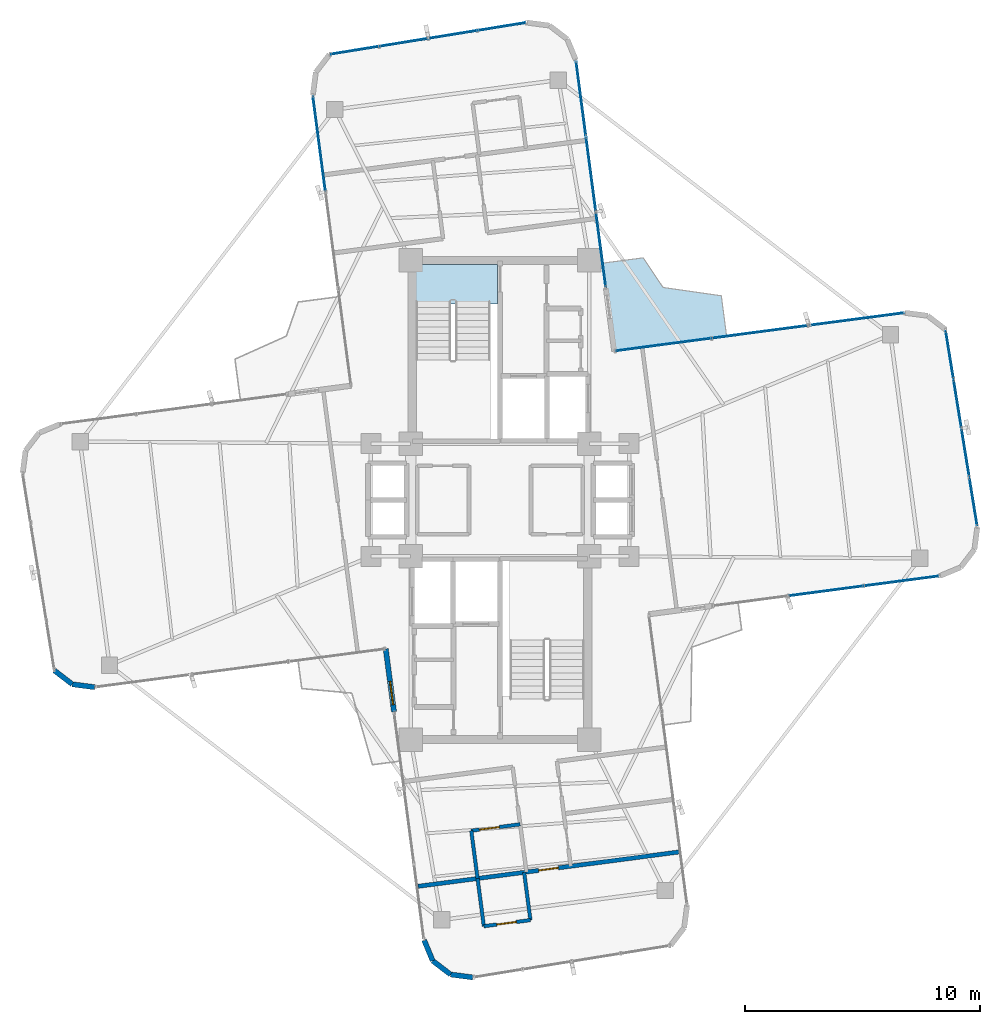
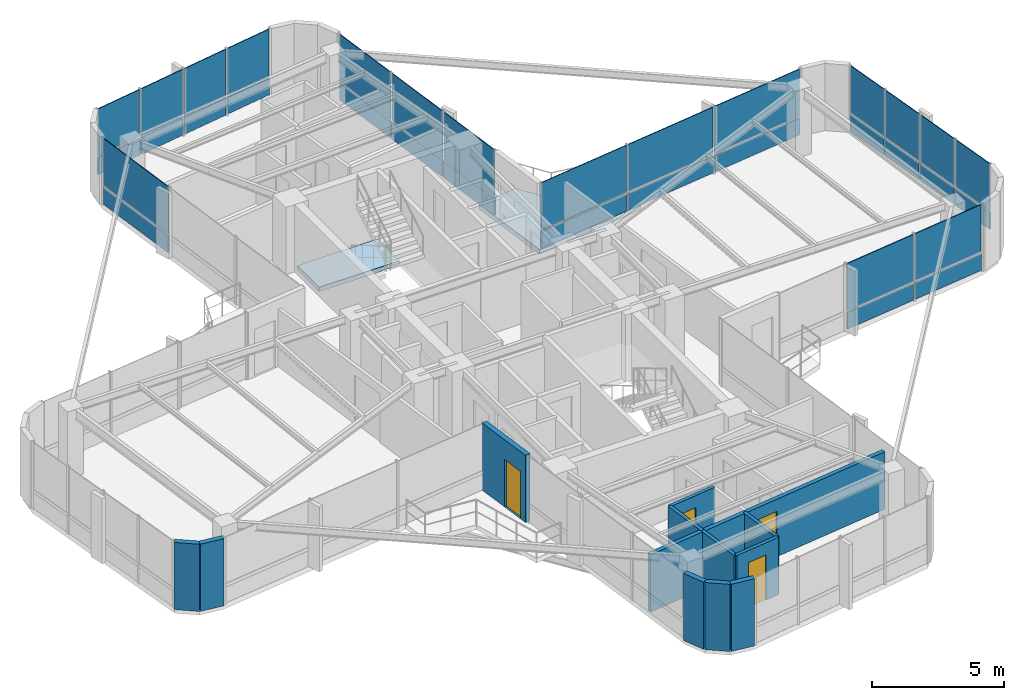
# One storey, part 17 of 21: 34 plates, 12 walls, 4 doors, 2 slabs, 4 openings, 6 elements without a shape of their own.
"""IFC4 building model written with IfcOpenShell, lengths in metres."""

from ifc_helpers import new_model, si_unit, direction, frame, frame_2d, origin, origin_2d, place, context, subcontext, project, spatial, polyline, rectangle, outline, extrude, source, transform, mapped, material, layer, layer_set, type_object, element, fill, aggregate, save


model = new_model("IFC4")

# Units and contexts
model_context = context("Model", 3, precision=1e-05, world=origin(), true_north=direction((0.0, 1.0)))
body_context = subcontext(model_context, "Body", "Model", "MODEL_VIEW")
ifc_project = project(units=[si_unit("LENGTHUNIT", "METRE"), si_unit("AREAUNIT", "SQUARE_METRE"), si_unit("VOLUMEUNIT", "CUBIC_METRE"), si_unit("PLANEANGLEUNIT", "RADIAN"), si_unit("MASSUNIT", "GRAM", prefix="KILO")], contexts=[model_context])

# Site, building, storey
site_placement = place(None, origin())
site = spatial("IfcSite", under=ifc_project, at=site_placement, CompositionType="ELEMENT")
building_placement = place(site_placement, origin())
building = spatial("IfcBuilding", under=site, at=building_placement, Name="Sahyath Konkavel Grand Hotel", CompositionType="ELEMENT")
storey_placement = place(building_placement, frame((0.0, 0.0, 213.199951171875)))
storey = spatial("IfcBuildingStorey", under=building, at=storey_placement, Name="L59", CompositionType="ELEMENT", Elevation=213.199951171875)

# Slabs
ifc_material_1 = material(Name="Concrete C40/50", Category="concrete")
ifc_layer_1 = layer(ifc_material_1, 0.219970703125)
ifc_layer_set_1 = layer_set([ifc_layer_1], Name="Concrete C40/50")
slab_type_1 = type_object("IfcSlabType", Name="SLB-BALCONY-220", PredefinedType="FLOOR", material=ifc_layer_set_1)
slab_1_placement = place(storey_placement, frame((0.0, 0.0, -0.219970703125)))
element("IfcSlab", 1, at=slab_1_placement, inside=storey, type_object=slab_type_1, Name="L59 Winter-Garden Balcony NE", PredefinedType="FLOOR", context=body_context, shape_type="SweptSolid", body=[
    extrude(outline(polyline([(4.8642578125, 6.339111328125), (9.64794921875, 6.968994140625), (9.4208984375, 8.692138671875), (6.9423828125, 9.047607421875), (6.0947265625, 10.30859375), (4.37158203125, 10.081787109375), (4.8642578125, 6.339111328125)])), origin(), (0.0, 0.0, 1.0), 0.219970703125),
])
ifc_layer_2 = layer(ifc_material_1, 0.199951171875)
ifc_layer_set_2 = layer_set([ifc_layer_2], Name="Concrete C40/50")
slab_type_2 = type_object("IfcSlabType", Name="SLB-STAIR-LND", PredefinedType="LANDING", material=ifc_layer_set_2)
slab_2_placement = place(storey_placement, frame((0.0, 0.0, -0.199951171875)))
element("IfcSlab", 2, at=slab_2_placement, inside=storey, type_object=slab_type_2, Name="L59 Stair ST-1 Floor Landing Slab", PredefinedType="LANDING", context=body_context, shape_type="SweptSolid", body=[
    extrude(outline(polyline([(-3.6201171875, 8.35009765625), (-0.10009765625, 8.35009765625), (-0.10009765625, 10.02001953125), (-3.6201171875, 10.02001953125), (-3.6201171875, 8.35009765625)])), origin(), (0.0, 0.0, 1.0), 0.199951171875),
])

# Curtain wall, plates
ifc_material_2 = material(Name="Anodised Bronze Aluminium & Low-E Glazing", Category="aluminium")
curtain_wall_type = type_object("IfcCurtainWallType", Name="CW-ZONE4", PredefinedType="NOTDEFINED", material=ifc_material_2)
curtain_wall_1_placement = place(storey_placement, origin())
curtain_wall_1 = element("IfcCurtainWall", 3, at=curtain_wall_1_placement, inside=storey, type_object=curtain_wall_type, Name="L59 Unitised Curtain Wall F0", PredefinedType="NOTDEFINED")
ifc_material_3 = material(Name="Warm Buff Sandstone Cladding", Category="masonry")
ifc_layer_3 = layer(ifc_material_3, 0.074951171875)
ifc_layer_set_3 = layer_set([ifc_layer_3], Name="Warm Buff Sandstone Cladding")
plate_type_1 = type_object("IfcPlateType", Name="PNL-SPANDREL-STONE", PredefinedType="SHEET", material=ifc_layer_set_3)
shared_shape_1 = source(origin(), body_context, "Body", "SweptSolid", [
    extrude(rectangle(XDim=3.159912109375, YDim=0.074951171875, at=origin_2d()), origin(), (0.0, 0.0, 1.0), 0.77001953125),
])
plate_1_placement = place(storey_placement, frame((13.8740234375, -3.872314453125, 0.0400390625), z_axis=(0.0, 0.0, 1.0), x_axis=(0.991444861374, 0.13052619222, 0.0)))
plate_1 = element("IfcPlate", 4, at=plate_1_placement, type_object=plate_type_1, Name="L59 Sandstone Relief Spandrel Panel F0-1", PredefinedType="SHEET", context=body_context, shape_type="MappedRepresentation", body=[
    mapped(shared_shape_1, transform((0.0, 0.0, 0.0), scale=1.0)),
])
plate_2_placement = place(storey_placement, frame((17.086181640625, -3.44921875, 0.0400390625), z_axis=(0.0, 0.0, 1.0), x_axis=(0.991444861374, 0.13052619222, 0.0)))
plate_2 = element("IfcPlate", 5, at=plate_2_placement, type_object=plate_type_1, Name="L59 Sandstone Relief Spandrel Panel F0-2", PredefinedType="SHEET", context=body_context, shape_type="MappedRepresentation", body=[
    mapped(shared_shape_1, transform((0.0, 0.0, 0.0), scale=1.0)),
])

curtain_wall_2_placement = place(storey_placement, origin())
curtain_wall_2 = element("IfcCurtainWall", 6, at=curtain_wall_2_placement, inside=storey, type_object=curtain_wall_type, Name="L59 Unitised Curtain Wall F8", PredefinedType="NOTDEFINED")
plate_3_placement = place(storey_placement, frame((4.295166015625, 10.661865234375, 0.0400390625), z_axis=(0.0, 0.0, 1.0), x_axis=(-0.13052619222, 0.991444861374, 0.0)))
plate_3 = element("IfcPlate", 7, at=plate_3_placement, type_object=plate_type_1, Name="L59 Sandstone Relief Spandrel Panel F8-0", PredefinedType="SHEET", context=body_context, shape_type="MappedRepresentation", body=[
    mapped(shared_shape_1, transform((0.0, 0.0, 0.0), scale=1.0)),
])
plate_4_placement = place(storey_placement, frame((3.872314453125, 13.8740234375, 0.0400390625), z_axis=(0.0, 0.0, 1.0), x_axis=(-0.13052619222, 0.991444861374, 0.0)))
plate_4 = element("IfcPlate", 8, at=plate_4_placement, type_object=plate_type_1, Name="L59 Sandstone Relief Spandrel Panel F8-1", PredefinedType="SHEET", context=body_context, shape_type="MappedRepresentation", body=[
    mapped(shared_shape_1, transform((0.0, 0.0, 0.0), scale=1.0)),
])
plate_5_placement = place(storey_placement, frame((3.44921875, 17.086181640625, 0.0400390625), z_axis=(0.0, 0.0, 1.0), x_axis=(-0.13052619222, 0.991444861374, 0.0)))
plate_5 = element("IfcPlate", 9, at=plate_5_placement, type_object=plate_type_1, Name="L59 Sandstone Relief Spandrel Panel F8-2", PredefinedType="SHEET", context=body_context, shape_type="MappedRepresentation", body=[
    mapped(shared_shape_1, transform((0.0, 0.0, 0.0), scale=1.0)),
])

# Plate
ifc_material_4 = material(Name="Low-E Solar Control Double Glazing", Category="glass")
ifc_layer_4 = layer(ifc_material_4, 0.035888671875)
ifc_layer_set_4 = layer_set([ifc_layer_4], Name="Low-E Solar Control Double Glazing")
plate_type_2 = type_object("IfcPlateType", Name="PNL-VISION-LOWE", PredefinedType="CURTAIN_PANEL", material=ifc_layer_set_4)
shared_shape_2 = source(origin(), body_context, "Body", "SweptSolid", [
    extrude(rectangle(XDim=3.159912109375, YDim=0.035888671875, at=origin_2d()), origin(), (0.0, 0.0, 1.0), 2.179931640625),
])
plate_6_placement = place(storey_placement, frame((13.8740234375, -3.872314453125, 0.89013671875), z_axis=(0.0, 0.0, 1.0), x_axis=(0.991444861374, 0.13052619222, 0.0)))
plate_6 = element("IfcPlate", 10, at=plate_6_placement, type_object=plate_type_2, Name="L59 Low-E Vision Glazing Panel F0-1", PredefinedType="CURTAIN_PANEL", context=body_context, shape_type="MappedRepresentation", body=[
    mapped(shared_shape_2, transform((0.0, 0.0, 0.0), scale=1.0)),
])

plate_7_placement = place(storey_placement, frame((17.086181640625, -3.44921875, 0.89013671875), z_axis=(0.0, 0.0, 1.0), x_axis=(0.991444861374, 0.13052619222, 0.0)))
plate_7 = element("IfcPlate", 11, at=plate_7_placement, type_object=plate_type_2, Name="L59 Low-E Vision Glazing Panel F0-2", PredefinedType="CURTAIN_PANEL", context=body_context, shape_type="MappedRepresentation", body=[
    mapped(shared_shape_2, transform((0.0, 0.0, 0.0), scale=1.0)),
])

aggregate(curtain_wall_1, [plate_1, plate_6, plate_2, plate_7])

plate_8_placement = place(storey_placement, frame((4.295166015625, 10.661865234375, 0.89013671875), z_axis=(0.0, 0.0, 1.0), x_axis=(-0.13052619222, 0.991444861374, 0.0)))
plate_8 = element("IfcPlate", 12, at=plate_8_placement, type_object=plate_type_2, Name="L59 Low-E Vision Glazing Panel F8-0", PredefinedType="CURTAIN_PANEL", context=body_context, shape_type="MappedRepresentation", body=[
    mapped(shared_shape_2, transform((0.0, 0.0, 0.0), scale=1.0)),
])

plate_9_placement = place(storey_placement, frame((3.872314453125, 13.8740234375, 0.89013671875), z_axis=(0.0, 0.0, 1.0), x_axis=(-0.13052619222, 0.991444861374, 0.0)))
plate_9 = element("IfcPlate", 13, at=plate_9_placement, type_object=plate_type_2, Name="L59 Low-E Vision Glazing Panel F8-1", PredefinedType="CURTAIN_PANEL", context=body_context, shape_type="MappedRepresentation", body=[
    mapped(shared_shape_2, transform((0.0, 0.0, 0.0), scale=1.0)),
])

plate_10_placement = place(storey_placement, frame((3.44921875, 17.086181640625, 0.89013671875), z_axis=(0.0, 0.0, 1.0), x_axis=(-0.13052619222, 0.991444861374, 0.0)))
plate_10 = element("IfcPlate", 14, at=plate_10_placement, type_object=plate_type_2, Name="L59 Low-E Vision Glazing Panel F8-2", PredefinedType="CURTAIN_PANEL", context=body_context, shape_type="MappedRepresentation", body=[
    mapped(shared_shape_2, transform((0.0, 0.0, 0.0), scale=1.0)),
])

aggregate(curtain_wall_2, [plate_3, plate_8, plate_4, plate_9, plate_5, plate_10])

# Curtain wall, plates
curtain_wall_3_placement = place(storey_placement, origin())
curtain_wall_3 = element("IfcCurtainWall", 15, at=curtain_wall_3_placement, inside=storey, type_object=curtain_wall_type, Name="L59 Unitised Curtain Wall F4", PredefinedType="NOTDEFINED")
shared_shape_3 = source(origin(), body_context, "Body", "SweptSolid", [
    extrude(rectangle(XDim=2.031982421875, YDim=0.074951171875, at=origin_2d()), origin(), (0.0, 0.0, 1.0), 0.77001953125),
])
plate_11_placement = place(storey_placement, frame((20.150390625, -0.074951171875, 0.0400390625), z_axis=(0.0, 0.0, 1.0), x_axis=(-0.159295381124, 0.98723096667, 0.0)))
plate_11 = element("IfcPlate", 16, at=plate_11_placement, type_object=plate_type_1, Name="L59 Sandstone Relief Spandrel Panel F4-0", PredefinedType="SHEET", context=body_context, shape_type="MappedRepresentation", body=[
    mapped(shared_shape_3, transform((0.0, 0.0, 0.0), scale=1.0)),
])
plate_12_placement = place(storey_placement, frame((19.81396484375, 2.01025390625, 0.0400390625), z_axis=(0.0, 0.0, 1.0), x_axis=(-0.159295381124, 0.98723096667, 0.0)))
plate_12 = element("IfcPlate", 17, at=plate_12_placement, type_object=plate_type_1, Name="L59 Sandstone Relief Spandrel Panel F4-1", PredefinedType="SHEET", context=body_context, shape_type="MappedRepresentation", body=[
    mapped(shared_shape_3, transform((0.0, 0.0, 0.0), scale=1.0)),
])
plate_13_placement = place(storey_placement, frame((19.477294921875, 4.095458984375, 0.0400390625), z_axis=(0.0, 0.0, 1.0), x_axis=(-0.159295381124, 0.98723096667, 0.0)))
plate_13 = element("IfcPlate", 18, at=plate_13_placement, type_object=plate_type_1, Name="L59 Sandstone Relief Spandrel Panel F4-2", PredefinedType="SHEET", context=body_context, shape_type="MappedRepresentation", body=[
    mapped(shared_shape_3, transform((0.0, 0.0, 0.0), scale=1.0)),
])
plate_14_placement = place(storey_placement, frame((19.14111328125, 6.1806640625, 0.0400390625), z_axis=(0.0, 0.0, 1.0), x_axis=(-0.159295381124, 0.98723096667, 0.0)))
plate_14 = element("IfcPlate", 19, at=plate_14_placement, type_object=plate_type_1, Name="L59 Sandstone Relief Spandrel Panel F4-3", PredefinedType="SHEET", context=body_context, shape_type="MappedRepresentation", body=[
    mapped(shared_shape_3, transform((0.0, 0.0, 0.0), scale=1.0)),
])

curtain_wall_4_placement = place(storey_placement, origin())
curtain_wall_4 = element("IfcCurtainWall", 20, at=curtain_wall_4_placement, inside=storey, type_object=curtain_wall_type, Name="L59 Unitised Curtain Wall F12", PredefinedType="NOTDEFINED")
plate_15_placement = place(storey_placement, frame((0.074951171875, 20.150390625, 0.0400390625), z_axis=(0.0, 0.0, 1.0), x_axis=(-0.98723096667, -0.159295381124, 0.0)))
plate_15 = element("IfcPlate", 21, at=plate_15_placement, type_object=plate_type_1, Name="L59 Sandstone Relief Spandrel Panel F12-0", PredefinedType="SHEET", context=body_context, shape_type="MappedRepresentation", body=[
    mapped(shared_shape_3, transform((0.0, 0.0, 0.0), scale=1.0)),
])
plate_16_placement = place(storey_placement, frame((-2.01025390625, 19.81396484375, 0.0400390625), z_axis=(0.0, 0.0, 1.0), x_axis=(-0.98723096667, -0.159295381124, 0.0)))
plate_16 = element("IfcPlate", 22, at=plate_16_placement, type_object=plate_type_1, Name="L59 Sandstone Relief Spandrel Panel F12-1", PredefinedType="SHEET", context=body_context, shape_type="MappedRepresentation", body=[
    mapped(shared_shape_3, transform((0.0, 0.0, 0.0), scale=1.0)),
])
plate_17_placement = place(storey_placement, frame((-4.095458984375, 19.477294921875, 0.0400390625), z_axis=(0.0, 0.0, 1.0), x_axis=(-0.98723096667, -0.159295381124, 0.0)))
plate_17 = element("IfcPlate", 23, at=plate_17_placement, type_object=plate_type_1, Name="L59 Sandstone Relief Spandrel Panel F12-2", PredefinedType="SHEET", context=body_context, shape_type="MappedRepresentation", body=[
    mapped(shared_shape_3, transform((0.0, 0.0, 0.0), scale=1.0)),
])
plate_18_placement = place(storey_placement, frame((-6.1806640625, 19.14111328125, 0.0400390625), z_axis=(0.0, 0.0, 1.0), x_axis=(-0.98723096667, -0.159295381124, 0.0)))
plate_18 = element("IfcPlate", 24, at=plate_18_placement, type_object=plate_type_1, Name="L59 Sandstone Relief Spandrel Panel F12-3", PredefinedType="SHEET", context=body_context, shape_type="MappedRepresentation", body=[
    mapped(shared_shape_3, transform((0.0, 0.0, 0.0), scale=1.0)),
])

# Plate
shared_shape_4 = source(origin(), body_context, "Body", "SweptSolid", [
    extrude(rectangle(XDim=2.031982421875, YDim=0.035888671875, at=origin_2d()), origin(), (0.0, 0.0, 1.0), 2.179931640625),
])
plate_19_placement = place(storey_placement, frame((20.150390625, -0.074951171875, 0.89013671875), z_axis=(0.0, 0.0, 1.0), x_axis=(-0.159295381124, 0.98723096667, 0.0)))
plate_19 = element("IfcPlate", 25, at=plate_19_placement, type_object=plate_type_2, Name="L59 Low-E Vision Glazing Panel F4-0", PredefinedType="CURTAIN_PANEL", context=body_context, shape_type="MappedRepresentation", body=[
    mapped(shared_shape_4, transform((0.0, 0.0, 0.0), scale=1.0)),
])

plate_20_placement = place(storey_placement, frame((19.81396484375, 2.01025390625, 0.89013671875), z_axis=(0.0, 0.0, 1.0), x_axis=(-0.159295381124, 0.98723096667, 0.0)))
plate_20 = element("IfcPlate", 26, at=plate_20_placement, type_object=plate_type_2, Name="L59 Low-E Vision Glazing Panel F4-1", PredefinedType="CURTAIN_PANEL", context=body_context, shape_type="MappedRepresentation", body=[
    mapped(shared_shape_4, transform((0.0, 0.0, 0.0), scale=1.0)),
])

plate_21_placement = place(storey_placement, frame((19.477294921875, 4.095458984375, 0.89013671875), z_axis=(0.0, 0.0, 1.0), x_axis=(-0.159295381124, 0.98723096667, 0.0)))
plate_21 = element("IfcPlate", 27, at=plate_21_placement, type_object=plate_type_2, Name="L59 Low-E Vision Glazing Panel F4-2", PredefinedType="CURTAIN_PANEL", context=body_context, shape_type="MappedRepresentation", body=[
    mapped(shared_shape_4, transform((0.0, 0.0, 0.0), scale=1.0)),
])

plate_22_placement = place(storey_placement, frame((19.14111328125, 6.1806640625, 0.89013671875), z_axis=(0.0, 0.0, 1.0), x_axis=(-0.159295381124, 0.98723096667, 0.0)))
plate_22 = element("IfcPlate", 28, at=plate_22_placement, type_object=plate_type_2, Name="L59 Low-E Vision Glazing Panel F4-3", PredefinedType="CURTAIN_PANEL", context=body_context, shape_type="MappedRepresentation", body=[
    mapped(shared_shape_4, transform((0.0, 0.0, 0.0), scale=1.0)),
])

aggregate(curtain_wall_3, [plate_11, plate_19, plate_12, plate_20, plate_13, plate_21, plate_14, plate_22])

plate_23_placement = place(storey_placement, frame((0.074951171875, 20.150390625, 0.89013671875), z_axis=(0.0, 0.0, 1.0), x_axis=(-0.98723096667, -0.159295381124, 0.0)))
plate_23 = element("IfcPlate", 29, at=plate_23_placement, type_object=plate_type_2, Name="L59 Low-E Vision Glazing Panel F12-0", PredefinedType="CURTAIN_PANEL", context=body_context, shape_type="MappedRepresentation", body=[
    mapped(shared_shape_4, transform((0.0, 0.0, 0.0), scale=1.0)),
])

plate_24_placement = place(storey_placement, frame((-2.01025390625, 19.81396484375, 0.89013671875), z_axis=(0.0, 0.0, 1.0), x_axis=(-0.98723096667, -0.159295381124, 0.0)))
plate_24 = element("IfcPlate", 30, at=plate_24_placement, type_object=plate_type_2, Name="L59 Low-E Vision Glazing Panel F12-1", PredefinedType="CURTAIN_PANEL", context=body_context, shape_type="MappedRepresentation", body=[
    mapped(shared_shape_4, transform((0.0, 0.0, 0.0), scale=1.0)),
])

plate_25_placement = place(storey_placement, frame((-4.095458984375, 19.477294921875, 0.89013671875), z_axis=(0.0, 0.0, 1.0), x_axis=(-0.98723096667, -0.159295381124, 0.0)))
plate_25 = element("IfcPlate", 31, at=plate_25_placement, type_object=plate_type_2, Name="L59 Low-E Vision Glazing Panel F12-2", PredefinedType="CURTAIN_PANEL", context=body_context, shape_type="MappedRepresentation", body=[
    mapped(shared_shape_4, transform((0.0, 0.0, 0.0), scale=1.0)),
])

plate_26_placement = place(storey_placement, frame((-6.1806640625, 19.14111328125, 0.89013671875), z_axis=(0.0, 0.0, 1.0), x_axis=(-0.98723096667, -0.159295381124, 0.0)))
plate_26 = element("IfcPlate", 32, at=plate_26_placement, type_object=plate_type_2, Name="L59 Low-E Vision Glazing Panel F12-3", PredefinedType="CURTAIN_PANEL", context=body_context, shape_type="MappedRepresentation", body=[
    mapped(shared_shape_4, transform((0.0, 0.0, 0.0), scale=1.0)),
])

aggregate(curtain_wall_4, [plate_15, plate_23, plate_16, plate_24, plate_17, plate_25, plate_18, plate_26])

# Curtain wall, plates
curtain_wall_5_placement = place(storey_placement, origin())
curtain_wall_5 = element("IfcCurtainWall", 33, at=curtain_wall_5_placement, inside=storey, type_object=curtain_wall_type, Name="L59 Unitised Curtain Wall F7", PredefinedType="NOTDEFINED")
shared_shape_5 = source(origin(), body_context, "Body", "SweptSolid", [
    extrude(rectangle(XDim=4.06005859375, YDim=0.074951171875, at=origin_2d()), origin(), (0.0, 0.0, 1.0), 0.77001953125),
])
plate_27_placement = place(storey_placement, frame((15.165283203125, 7.6953125, 0.0400390625), z_axis=(0.0, 0.0, 1.0), x_axis=(-0.991444861374, -0.13052619222, 0.0)))
plate_27 = element("IfcPlate", 34, at=plate_27_placement, type_object=plate_type_1, Name="L59 Sandstone Relief Spandrel Panel F7-0", PredefinedType="SHEET", context=body_context, shape_type="MappedRepresentation", body=[
    mapped(shared_shape_5, transform((0.0, 0.0, 0.0), scale=1.0)),
])
plate_28_placement = place(storey_placement, frame((11.060791015625, 7.15478515625, 0.0400390625), z_axis=(0.0, 0.0, 1.0), x_axis=(-0.991444861374, -0.13052619222, 0.0)))
plate_28 = element("IfcPlate", 35, at=plate_28_placement, type_object=plate_type_1, Name="L59 Sandstone Relief Spandrel Panel F7-1", PredefinedType="SHEET", context=body_context, shape_type="MappedRepresentation", body=[
    mapped(shared_shape_5, transform((0.0, 0.0, 0.0), scale=1.0)),
])
plate_29_placement = place(storey_placement, frame((6.956298828125, 6.614501953125, 0.0400390625), z_axis=(0.0, 0.0, 1.0), x_axis=(-0.991444861374, -0.13052619222, 0.0)))
plate_29 = element("IfcPlate", 36, at=plate_29_placement, type_object=plate_type_1, Name="L59 Sandstone Relief Spandrel Panel F7-2", PredefinedType="SHEET", context=body_context, shape_type="MappedRepresentation", body=[
    mapped(shared_shape_5, transform((0.0, 0.0, 0.0), scale=1.0)),
])

# Curtain wall, plate
curtain_wall_6_placement = place(storey_placement, origin())
curtain_wall_6 = element("IfcCurtainWall", 37, at=curtain_wall_6_placement, inside=storey, type_object=curtain_wall_type, Name="L59 Unitised Curtain Wall F15", PredefinedType="NOTDEFINED")
plate_30_placement = place(storey_placement, frame((-7.6953125, 15.165283203125, 0.0400390625), z_axis=(0.0, 0.0, 1.0), x_axis=(0.13052619222, -0.991444861374, 0.0)))
plate_30 = element("IfcPlate", 38, at=plate_30_placement, type_object=plate_type_1, Name="L59 Sandstone Relief Spandrel Panel F15-0", PredefinedType="SHEET", context=body_context, shape_type="MappedRepresentation", body=[
    mapped(shared_shape_5, transform((0.0, 0.0, 0.0), scale=1.0)),
])

# Plate
shared_shape_6 = source(origin(), body_context, "Body", "SweptSolid", [
    extrude(rectangle(XDim=4.06005859375, YDim=0.035888671875, at=origin_2d()), origin(), (0.0, 0.0, 1.0), 2.179931640625),
])
plate_31_placement = place(storey_placement, frame((15.165283203125, 7.6953125, 0.89013671875), z_axis=(0.0, 0.0, 1.0), x_axis=(-0.991444861374, -0.13052619222, 0.0)))
plate_31 = element("IfcPlate", 39, at=plate_31_placement, type_object=plate_type_2, Name="L59 Low-E Vision Glazing Panel F7-0", PredefinedType="CURTAIN_PANEL", context=body_context, shape_type="MappedRepresentation", body=[
    mapped(shared_shape_6, transform((0.0, 0.0, 0.0), scale=1.0)),
])

plate_32_placement = place(storey_placement, frame((11.060791015625, 7.15478515625, 0.89013671875), z_axis=(0.0, 0.0, 1.0), x_axis=(-0.991444861374, -0.13052619222, 0.0)))
plate_32 = element("IfcPlate", 40, at=plate_32_placement, type_object=plate_type_2, Name="L59 Low-E Vision Glazing Panel F7-1", PredefinedType="CURTAIN_PANEL", context=body_context, shape_type="MappedRepresentation", body=[
    mapped(shared_shape_6, transform((0.0, 0.0, 0.0), scale=1.0)),
])

plate_33_placement = place(storey_placement, frame((6.956298828125, 6.614501953125, 0.89013671875), z_axis=(0.0, 0.0, 1.0), x_axis=(-0.991444861374, -0.13052619222, 0.0)))
plate_33 = element("IfcPlate", 41, at=plate_33_placement, type_object=plate_type_2, Name="L59 Low-E Vision Glazing Panel F7-2", PredefinedType="CURTAIN_PANEL", context=body_context, shape_type="MappedRepresentation", body=[
    mapped(shared_shape_6, transform((0.0, 0.0, 0.0), scale=1.0)),
])

aggregate(curtain_wall_5, [plate_27, plate_31, plate_28, plate_32, plate_29, plate_33])

plate_34_placement = place(storey_placement, frame((-7.6953125, 15.165283203125, 0.89013671875), z_axis=(0.0, 0.0, 1.0), x_axis=(0.13052619222, -0.991444861374, 0.0)))
plate_34 = element("IfcPlate", 42, at=plate_34_placement, type_object=plate_type_2, Name="L59 Low-E Vision Glazing Panel F15-0", PredefinedType="CURTAIN_PANEL", context=body_context, shape_type="MappedRepresentation", body=[
    mapped(shared_shape_6, transform((0.0, 0.0, 0.0), scale=1.0)),
])

aggregate(curtain_wall_6, [plate_30, plate_34])

# Walls
ifc_material_5 = material(Name="Warm Buff Sandstone Insulated Concrete C40/50", Category="masonry")
ifc_layer_5 = layer(ifc_material_5, 0.219970703125)
ifc_layer_set_5 = layer_set([ifc_layer_5], Name="Warm Buff Sandstone Insulated Concrete C40/50")
wall_type_1 = type_object("IfcWallType", Name="WLL-BALC-THRESH", PredefinedType="STANDARD", material=ifc_layer_set_5)
wall_1_placement = place(storey_placement, frame((-18.96630859375, -7.2626953125, 0.0), z_axis=(0.0, 0.0, 1.0), x_axis=(0.793249178392, -0.608897151398, 0.0)))
element("IfcWall", 43, at=wall_1_placement, inside=storey, type_object=wall_type_1, Name="L59 Rounded Corner Sandstone Pier 21", PredefinedType="STANDARD", context=body_context, shape_type="SweptSolid", body=[
    extrude(rectangle(XDim=0.95751953125, YDim=0.219970703125, at=frame_2d((0.478759765625, 0.0))), origin(), (0.0, 0.0, 1.0), 3.110107421875),
])
wall_2_placement = place(storey_placement, frame((-18.206787109375, -7.845703125, 0.0), z_axis=(0.0, 0.0, 1.0), x_axis=(0.991444747987, -0.130527053476, 0.0)))
element("IfcWall", 44, at=wall_2_placement, inside=storey, type_object=wall_type_1, Name="L59 Rounded Corner Sandstone Pier 22", PredefinedType="STANDARD", context=body_context, shape_type="SweptSolid", body=[
    extrude(rectangle(XDim=0.957763671875, YDim=0.219970703125, at=frame_2d((0.47900390625, 0.0))), origin(), (0.0, 0.0, 1.0), 3.110107421875),
])

# Wall, opening, door
wall_3_placement = place(storey_placement, frame((-4.8642578125, -6.339111328125, 0.0), z_axis=(0.0, 0.0, 1.0), x_axis=(0.130564442062, -0.991439824936, 0.0)))
wall_3 = element("IfcWall", 45, at=wall_3_placement, inside=storey, type_object=wall_type_1, Name="L59 Winter-Garden Threshold Wall 24", PredefinedType="STANDARD", context=body_context, shape_type="SweptSolid", body=[
    extrude(rectangle(XDim=2.7001953125, YDim=0.219970703125, at=frame_2d((1.35009765625, 0.0))), origin(), (0.0, 0.0, 1.0), 3.110107421875),
])
opening_1_placement = place(wall_3_placement, frame((1.39990234375, 0.0, 0.0)))
opening_1 = element("IfcOpeningElement", 46, at=opening_1_placement, cuts=wall_3, Name="Opening D-TR1", PredefinedType="OPENING", context=body_context, shape_type="SweptSolid", body=[
    extrude(rectangle(XDim=1.0, YDim=2.199951171875, at=frame_2d((0.5, 1.10009765625))), frame((0.0, 0.1201171875, 0.0), z_axis=(0.0, -1.0, 0.0), x_axis=(1.0, 0.0, 0.0)), (0.0, 0.0, 1.0), 0.239990234375),
])
door_type_1 = type_object("IfcDoorType", Name="DR-TERRACE-1000", OperationType="NOTDEFINED", PredefinedType="DOOR", material=ifc_material_2)
shared_shape_7 = source(origin(), body_context, "Body", "SweptSolid", [
    extrude(rectangle(XDim=1.0, YDim=0.050048828125, at=origin_2d()), origin(), (0.0, 0.0, 1.0), 2.199951171875),
])
door_1_placement = place(opening_1_placement, frame((0.5, 0.0, 0.0)))
door_1 = element("IfcDoor", 47, at=door_1_placement, inside=storey, type_object=door_type_1, Name="L59 Winter-Garden Terrace Door 24", OperationType="SINGLE_SWING_LEFT", OverallHeight=2.199951171875, OverallWidth=1.0, PredefinedType="DOOR", context=body_context, shape_type="MappedRepresentation", body=[
    mapped(shared_shape_7, transform((0.0, 0.0, 0.0), scale=1.0)),
])
fill(opening_1, door_1)

# Walls
for number, where, z_axis, x_axis, name in (
    (48, (-3.232666015625, -18.732177734375, 0.0), (0.0, 0.0, 1.0), (0.382659506909, -0.923889442397, 0.0), "L59 Rounded Corner Sandstone Pier 25"),
    (49, (-2.8662109375, -19.616943359375, 0.0), (0.0, 0.0, 1.0), (0.793343685778, -0.608774010809, 0.0), "L59 Rounded Corner Sandstone Pier 26"),
    (50, (-2.1064453125, -20.199951171875, 0.0), (0.0, 0.0, 1.0), (0.991444747987, -0.130527053476, 0.0), "L59 Rounded Corner Sandstone Pier 27"),
):
    element("IfcWall", number, at=place(storey_placement, frame(where, z_axis=z_axis, x_axis=x_axis)), inside=storey, type_object=wall_type_1, Name=name, PredefinedType="STANDARD", context=body_context, shape_type="SweptSolid", body=[
        extrude(rectangle(XDim=0.957763671875, YDim=0.219970703125, at=frame_2d((0.47900390625, 0.0))), origin(), (0.0, 0.0, 1.0), 3.110107421875),
    ])

# Wall, opening, door
ifc_material_6 = material(Name="Twin-Stud Acoustic Gypsum Plasterboard Partition")
ifc_layer_6 = layer(ifc_material_6, 0.179931640625)
ifc_layer_set_6 = layer_set([ifc_layer_6], Name="Twin-Stud Acoustic Gypsum Plasterboard Partition")
wall_type_2 = type_object("IfcWallType", Name="WLL-DEMISE-180", PredefinedType="PARTITIONING", material=ifc_layer_set_6)
wall_4_placement = place(storey_placement, frame((-3.4833984375, -16.4453125, 0.0), z_axis=(0.0, 0.0, 1.0), x_axis=(0.991444721874, 0.130527251821, 0.0)))
wall_4 = element("IfcWall", 51, at=wall_4_placement, inside=storey, type_object=wall_type_2, Name="L59 Partition S-STIP-END", PredefinedType="PARTITIONING", context=body_context, shape_type="SweptSolid", body=[
    extrude(rectangle(XDim=11.199951171875, YDim=0.179931640625, at=frame_2d((5.60009765625, 0.0))), origin(), (0.0, 0.0, 1.0), 2.66015625),
])
opening_2_placement = place(wall_4_placement, frame((5.175048828125, 0.0, 0.0)))
opening_2 = element("IfcOpeningElement", 52, at=opening_2_placement, cuts=wall_4, Name="Opening D-F06D", PredefinedType="OPENING", context=body_context, shape_type="SweptSolid", body=[
    extrude(rectangle(XDim=0.85009765625, YDim=2.10009765625, at=frame_2d((0.425048828125, 1.050048828125))), frame((0.0, 0.10009765625, 0.0), z_axis=(0.0, -1.0, 0.0), x_axis=(1.0, 0.0, 0.0)), (0.0, 0.0, 1.0), 0.199951171875),
])
ifc_material_7 = material(Name="Fire-Rated Shaft Access Door")
door_type_2 = type_object("IfcDoorType", Name="DR-FD60-850", OperationType="NOTDEFINED", PredefinedType="DOOR", material=ifc_material_7)
shared_shape_8 = source(origin(), body_context, "Body", "SweptSolid", [
    extrude(rectangle(XDim=0.85009765625, YDim=0.050048828125, at=origin_2d()), origin(), (0.0, 0.0, 1.0), 2.10009765625),
])
door_2_placement = place(opening_2_placement, frame((0.425048828125, 0.0, 0.0)))
door_2 = element("IfcDoor", 53, at=door_2_placement, inside=storey, type_object=door_type_2, Name="L59 Door S-STIP-ED", OperationType="SINGLE_SWING_RIGHT", OverallHeight=2.10009765625, OverallWidth=0.85009765625, PredefinedType="DOOR", context=body_context, shape_type="MappedRepresentation", body=[
    mapped(shared_shape_8, transform((0.0, 0.0, 0.0), scale=1.0)),
])
fill(opening_2, door_2)

ifc_material_8 = material(Name="Fire-Rated Gypsum Plasterboard Partition")
ifc_layer_7 = layer(ifc_material_8, 0.14990234375)
ifc_layer_set_7 = layer_set([ifc_layer_7], Name="Fire-Rated Gypsum Plasterboard Partition")
wall_type_3 = type_object("IfcWallType", Name="WLL-PART-150", PredefinedType="PARTITIONING", material=ifc_layer_set_7)
wall_5_placement = place(storey_placement, frame((0.859375, -13.805908203125, 0.0), z_axis=(0.0, 0.0, 1.0), x_axis=(-0.991440836415, -0.130556761174, 0.0)))
wall_5 = element("IfcWall", 54, at=wall_5_placement, inside=storey, type_object=wall_type_3, Name="L59 Partition S-S4R1-BS", PredefinedType="PARTITIONING", context=body_context, shape_type="SweptSolid", body=[
    extrude(rectangle(XDim=2.10009765625, YDim=0.14990234375, at=frame_2d((1.050048828125, 0.0))), origin(), (0.0, 0.0, 1.0), 2.66015625),
])
opening_3_placement = place(wall_5_placement, frame((0.89990234375, 0.0, 0.0)))
opening_3 = element("IfcOpeningElement", 55, at=opening_3_placement, cuts=wall_5, Name="Opening D-BT85", PredefinedType="OPENING", context=body_context, shape_type="SweptSolid", body=[
    extrude(rectangle(XDim=0.85009765625, YDim=2.10009765625, at=frame_2d((0.425048828125, 1.050048828125))), frame((0.0, 0.0849609375, 0.0), z_axis=(0.0, -1.0, 0.0), x_axis=(1.0, 0.0, 0.0)), (0.0, 0.0, 1.0), 0.169921875),
])
ifc_material_9 = material(Name="Moisture-Resistant Teak Bathroom Door")
door_type_3 = type_object("IfcDoorType", Name="DR-BATH-850", OperationType="NOTDEFINED", PredefinedType="DOOR", material=ifc_material_9)
door_3_placement = place(opening_3_placement, frame((0.425048828125, 0.0, 0.0)))
door_3 = element("IfcDoor", 56, at=door_3_placement, inside=storey, type_object=door_type_3, Name="L59 Door S-S4R1-BD", OperationType="SINGLE_SWING_LEFT", OverallHeight=2.10009765625, OverallWidth=0.85009765625, PredefinedType="DOOR", context=body_context, shape_type="MappedRepresentation", body=[
    mapped(shared_shape_8, transform((0.0, 0.0, 0.0), scale=1.0)),
])
fill(opening_3, door_3)

# Walls
wall_6_placement = place(storey_placement, frame((-1.22265625, -14.080078125, 0.0), z_axis=(0.0, 0.0, 1.0), x_axis=(0.13052536781, -0.991444969909, 0.0)))
element("IfcWall", 57, at=wall_6_placement, inside=storey, type_object=wall_type_3, Name="L59 Partition S-S4R1-BF", PredefinedType="PARTITIONING", context=body_context, shape_type="SweptSolid", body=[
    extrude(rectangle(XDim=2.050048828125, YDim=0.14990234375, at=frame_2d((1.02490234375, 0.0))), origin(), (0.0, 0.0, 1.0), 2.66015625),
])
wall_7_placement = place(storey_placement, frame((1.02783203125, -15.8515625, 0.0), z_axis=(0.0, 0.0, 1.0), x_axis=(0.130540781221, -0.991442940586, 0.0)))
element("IfcWall", 58, at=wall_7_placement, inside=storey, type_object=wall_type_3, Name="L59 Partition S-STIP-BN", PredefinedType="PARTITIONING", context=body_context, shape_type="SweptSolid", body=[
    extrude(rectangle(XDim=2.0498046875, YDim=0.14990234375, at=frame_2d((1.02490234375, 0.0))), origin(), (0.0, 0.0, 1.0), 2.66015625),
])
wall_8_placement = place(storey_placement, frame((-0.955078125, -16.112548828125, 0.0), z_axis=(0.0, 0.0, 1.0), x_axis=(0.13052536781, -0.991444969909, 0.0)))
element("IfcWall", 59, at=wall_8_placement, inside=storey, type_object=wall_type_3, Name="L59 Partition S-STIP-BS", PredefinedType="PARTITIONING", context=body_context, shape_type="SweptSolid", body=[
    extrude(rectangle(XDim=2.050048828125, YDim=0.14990234375, at=frame_2d((1.02490234375, 0.0))), origin(), (0.0, 0.0, 1.0), 2.66015625),
])

# Wall, opening, door
wall_9_placement = place(storey_placement, frame((-0.6875, -18.14501953125, 0.0), z_axis=(0.0, 0.0, 1.0), x_axis=(0.991433509034, 0.130612392842, 0.0)))
wall_9 = element("IfcWall", 60, at=wall_9_placement, inside=storey, type_object=wall_type_3, Name="L59 Partition S-STIP-BE", PredefinedType="PARTITIONING", context=body_context, shape_type="SweptSolid", body=[
    extrude(rectangle(XDim=2.0, YDim=0.14990234375, at=frame_2d((1.0, 0.0))), origin(), (0.0, 0.0, 1.0), 2.66015625),
])
opening_4_placement = place(wall_9_placement, frame((0.550048828125, 0.0, 0.0)))
opening_4 = element("IfcOpeningElement", 61, at=opening_4_placement, cuts=wall_9, Name="Opening D-BT85", PredefinedType="OPENING", context=body_context, shape_type="SweptSolid", body=[
    extrude(rectangle(XDim=0.85009765625, YDim=2.10009765625, at=frame_2d((0.425048828125, 1.050048828125))), frame((0.0, 0.0849609375, 0.0), z_axis=(0.0, -1.0, 0.0), x_axis=(1.0, 0.0, 0.0)), (0.0, 0.0, 1.0), 0.169921875),
])
door_4_placement = place(opening_4_placement, frame((0.425048828125, 0.0, 0.0)))
door_4 = element("IfcDoor", 62, at=door_4_placement, inside=storey, type_object=door_type_3, Name="L59 Door S-STIP-BD", OperationType="SINGLE_SWING_LEFT", OverallHeight=2.10009765625, OverallWidth=0.85009765625, PredefinedType="DOOR", context=body_context, shape_type="MappedRepresentation", body=[
    mapped(shared_shape_8, transform((0.0, 0.0, 0.0), scale=1.0)),
])
fill(opening_4, door_4)

save(model, "model.ifc")
